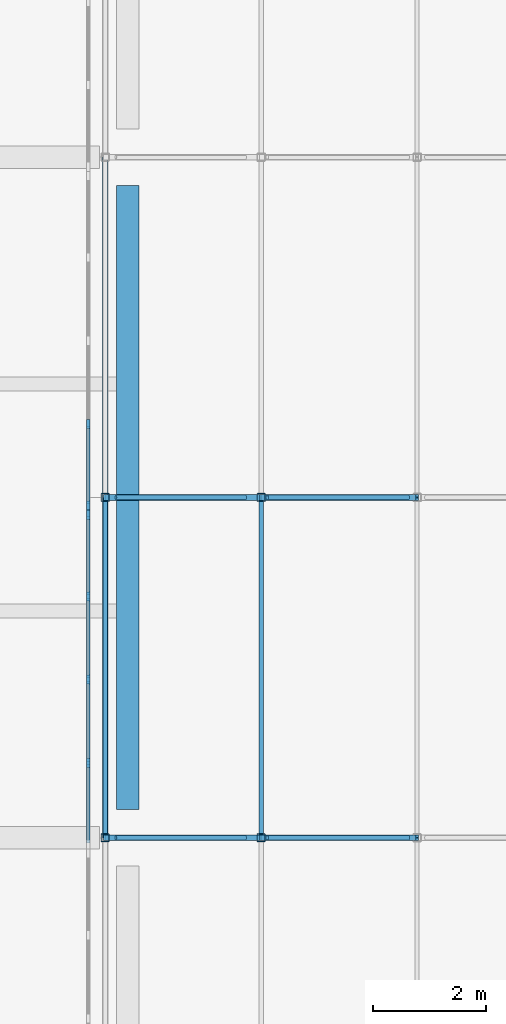
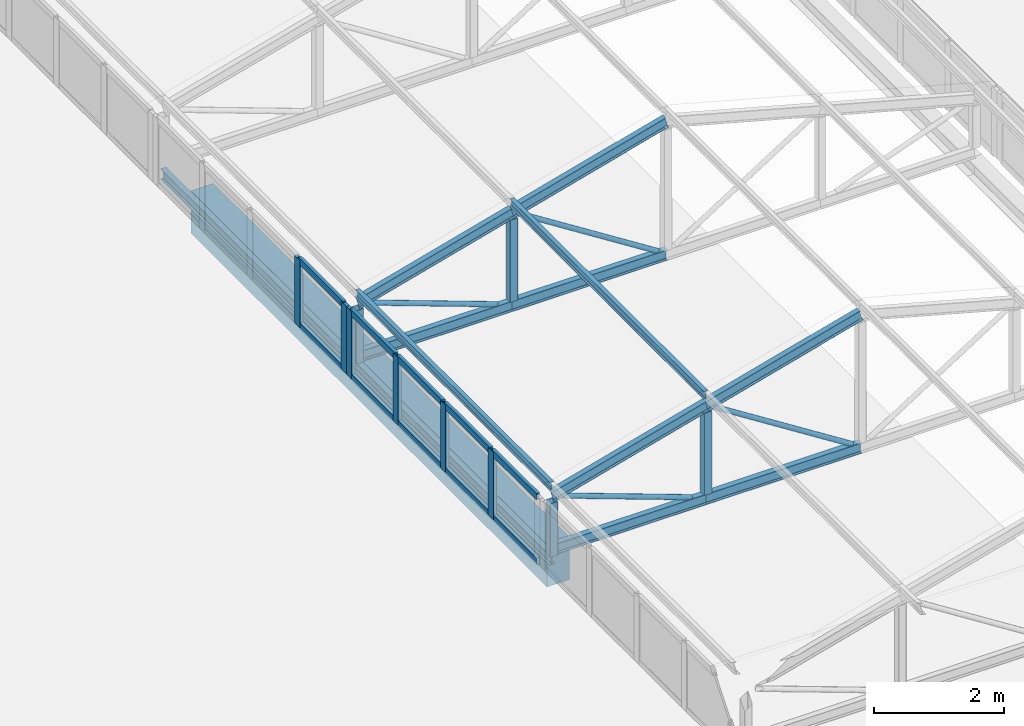
# One storey, part 46 of 94: 34 members, 2 beams, 2 elements without a shape of their own.
"""IFC4 building model written with IfcOpenShell, lengths in metres."""

from ifc_helpers import new_model, si_unit, direction, frame, origin, origin_2d, place, context, subcontext, project, spatial, rectangle, hollow_rectangle, hollow_circle, i_section, extrude, material, layer, layer_set, material_profile, profile_set, type_object, element, aggregate, save


model = new_model("IFC4")

# Units and contexts
model_context = context("Model", 3, precision=1e-05, world=origin(), true_north=direction((0.0, 1.0)))
body_context = subcontext(model_context, "Body", "Model", "MODEL_VIEW")
ifc_project = project(units=[si_unit("LENGTHUNIT", "METRE"), si_unit("AREAUNIT", "SQUARE_METRE"), si_unit("VOLUMEUNIT", "CUBIC_METRE"), si_unit("PLANEANGLEUNIT", "RADIAN"), si_unit("MASSUNIT", "GRAM", prefix="KILO")], contexts=[model_context])

# Site, building, storey
site_placement = place(None, origin())
site = spatial("IfcSite", under=ifc_project, at=site_placement, CompositionType="ELEMENT")
building_placement = place(site_placement, origin())
building = spatial("IfcBuilding", under=site, at=building_placement, Name="Lilac Gate Convention Centre", CompositionType="ELEMENT")
storey_placement = place(building_placement, frame((0.0, 0.0, 21.0)))
storey = spatial("IfcBuildingStorey", under=building, at=storey_placement, Name="L04", CompositionType="ELEMENT", Elevation=21.0)

# Curtain wall, members
ifc_material_1 = material(Name="Aluminium framed double glazing", Category="aluminium")
ifc_layer = layer(ifc_material_1, 0.199951171875)
ifc_layer_set = layer_set([ifc_layer], Name="Aluminium framed double glazing")
curtain_wall_type = type_object("IfcCurtainWallType", Name="Unitised curtain wall 1500", PredefinedType="NOTDEFINED", material=ifc_layer_set)
curtain_wall_1_placement = place(storey_placement, origin())
curtain_wall_1 = element("IfcCurtainWall", 1, at=curtain_wall_1_placement, inside=storey, type_object=curtain_wall_type, Name="Lantern clerestory W 25", PredefinedType="NOTDEFINED")
ifc_material_2 = material(Name="Aluminium alloy 6063", Category="aluminium")
ifc_material_profile_1 = material_profile(ifc_material_2, rectangle(XDim=0.06005859375, YDim=0.159912109375, at=origin_2d()), Name="Curtain wall mullion 60 x 160")
ifc_profile_set_1 = profile_set([ifc_material_profile_1], Name="Aluminium alloy 6063")
member_type_1 = type_object("IfcMemberType", Name="Curtain wall mullion 60 x 160", PredefinedType="MULLION", material=ifc_profile_set_1)
member_1_placement = place(storey_placement, frame((17.300048828125, 175.31884765625, 0.0), z_axis=(0.0, 0.0, 1.0), x_axis=(-1.0, 0.0, 0.0)))
member_1 = element("IfcMember", 2, at=member_1_placement, type_object=member_type_1, Name="CW mullion 2", PredefinedType="MULLION", context=body_context, shape_type="SweptSolid", body=[
    extrude(rectangle(XDim=0.06005859375, YDim=0.159912109375, at=origin_2d()), origin(), (0.0, 0.0, 1.0), 1.272216796875),
])
member_2_placement = place(storey_placement, frame((17.300048828125, 176.78759765625, 0.0), z_axis=(0.0, 0.0, 1.0), x_axis=(-1.0, 0.0, 0.0)))
member_2 = element("IfcMember", 3, at=member_2_placement, type_object=member_type_1, Name="CW mullion 3", PredefinedType="MULLION", context=body_context, shape_type="SweptSolid", body=[
    extrude(rectangle(XDim=0.06005859375, YDim=0.159912109375, at=origin_2d()), origin(), (0.0, 0.0, 1.0), 1.272216796875),
])
member_3_placement = place(storey_placement, frame((17.300048828125, 178.25634765625, 0.0), z_axis=(0.0, 0.0, 1.0), x_axis=(-1.0, 0.0, 0.0)))
member_3 = element("IfcMember", 4, at=member_3_placement, type_object=member_type_1, Name="CW mullion 4", PredefinedType="MULLION", context=body_context, shape_type="SweptSolid", body=[
    extrude(rectangle(XDim=0.06005859375, YDim=0.159912109375, at=origin_2d()), origin(), (0.0, 0.0, 1.0), 1.272216796875),
])
member_4_placement = place(storey_placement, frame((17.300048828125, 179.695068359375, 0.0), z_axis=(0.0, 0.0, 1.0), x_axis=(-1.0, 0.0, 0.0)))
member_4 = element("IfcMember", 5, at=member_4_placement, type_object=member_type_1, Name="CW mullion 5", PredefinedType="MULLION", context=body_context, shape_type="SweptSolid", body=[
    extrude(rectangle(XDim=0.06005859375, YDim=0.159912109375, at=origin_2d()), origin(), (0.0, 0.0, 1.0), 1.272216796875),
])

curtain_wall_2_placement = place(storey_placement, origin())
curtain_wall_2 = element("IfcCurtainWall", 6, at=curtain_wall_2_placement, inside=storey, type_object=curtain_wall_type, Name="Lantern clerestory W 26", PredefinedType="NOTDEFINED")
member_5_placement = place(storey_placement, frame((17.300048828125, 179.85498046875, 0.0), z_axis=(0.0, 0.0, 1.0), x_axis=(-1.0, 0.0, 0.0)))
member_5 = element("IfcMember", 7, at=member_5_placement, type_object=member_type_1, Name="CW mullion 1", PredefinedType="MULLION", context=body_context, shape_type="SweptSolid", body=[
    extrude(rectangle(XDim=0.06005859375, YDim=0.159912109375, at=origin_2d()), origin(), (0.0, 0.0, 1.0), 1.272216796875),
])
member_6_placement = place(storey_placement, frame((17.300048828125, 181.293701171875, 0.0), z_axis=(0.0, 0.0, 1.0), x_axis=(-1.0, 0.0, 0.0)))
member_6 = element("IfcMember", 8, at=member_6_placement, type_object=member_type_1, Name="CW mullion 2", PredefinedType="MULLION", context=body_context, shape_type="SweptSolid", body=[
    extrude(rectangle(XDim=0.06005859375, YDim=0.159912109375, at=origin_2d()), origin(), (0.0, 0.0, 1.0), 1.272216796875),
])

# Member
ifc_material_profile_2 = material_profile(ifc_material_2, rectangle(XDim=0.06005859375, YDim=0.1201171875, at=origin_2d()), Name="Curtain wall transom 60 x 120")
ifc_profile_set_2 = profile_set([ifc_material_profile_2], Name="Aluminium alloy 6063")
member_type_2 = type_object("IfcMemberType", Name="Curtain wall transom 60 x 120", PredefinedType="USERDEFINED", material=ifc_profile_set_2)
member_7_placement = place(storey_placement, frame((17.300048828125, 173.91015625, 0.030029296875), z_axis=(0.0, 1.0, 0.0), x_axis=(-1.0, 0.0, 0.0)))
member_7 = element("IfcMember", 9, at=member_7_placement, type_object=member_type_2, Name="CW transom 1.1", ObjectType="TRANSOM", PredefinedType="USERDEFINED", context=body_context, shape_type="SweptSolid", body=[
    extrude(rectangle(XDim=0.06005859375, YDim=0.1201171875, at=origin_2d()), origin(), (0.0, 0.0, 1.0), 1.378662109375),
])

member_8_placement = place(storey_placement, frame((17.300048828125, 173.91015625, 1.2421875), z_axis=(0.0, 1.0, 0.0), x_axis=(-1.0, 0.0, 0.0)))
member_8 = element("IfcMember", 10, at=member_8_placement, type_object=member_type_2, Name="CW transom 1.2", ObjectType="TRANSOM", PredefinedType="USERDEFINED", context=body_context, shape_type="SweptSolid", body=[
    extrude(rectangle(XDim=0.06005859375, YDim=0.1201171875, at=origin_2d()), origin(), (0.0, 0.0, 1.0), 1.378662109375),
])

member_9_placement = place(storey_placement, frame((17.300048828125, 175.348876953125, 0.030029296875), z_axis=(0.0, 1.0, 0.0), x_axis=(-1.0, 0.0, 0.0)))
member_9 = element("IfcMember", 11, at=member_9_placement, type_object=member_type_2, Name="CW transom 2.1", ObjectType="TRANSOM", PredefinedType="USERDEFINED", context=body_context, shape_type="SweptSolid", body=[
    extrude(rectangle(XDim=0.06005859375, YDim=0.1201171875, at=origin_2d()), origin(), (0.0, 0.0, 1.0), 1.40869140625),
])

member_10_placement = place(storey_placement, frame((17.300048828125, 175.348876953125, 1.2421875), z_axis=(0.0, 1.0, 0.0), x_axis=(-1.0, 0.0, 0.0)))
member_10 = element("IfcMember", 12, at=member_10_placement, type_object=member_type_2, Name="CW transom 2.2", ObjectType="TRANSOM", PredefinedType="USERDEFINED", context=body_context, shape_type="SweptSolid", body=[
    extrude(rectangle(XDim=0.06005859375, YDim=0.1201171875, at=origin_2d()), origin(), (0.0, 0.0, 1.0), 1.40869140625),
])

member_11_placement = place(storey_placement, frame((17.300048828125, 176.817626953125, 0.030029296875), z_axis=(0.0, 1.0, 0.0), x_axis=(-1.0, 0.0, 0.0)))
member_11 = element("IfcMember", 13, at=member_11_placement, type_object=member_type_2, Name="CW transom 3.1", ObjectType="TRANSOM", PredefinedType="USERDEFINED", context=body_context, shape_type="SweptSolid", body=[
    extrude(rectangle(XDim=0.06005859375, YDim=0.1201171875, at=origin_2d()), origin(), (0.0, 0.0, 1.0), 1.40869140625),
])

member_12_placement = place(storey_placement, frame((17.300048828125, 176.817626953125, 1.2421875), z_axis=(0.0, 1.0, 0.0), x_axis=(-1.0, 0.0, 0.0)))
member_12 = element("IfcMember", 14, at=member_12_placement, type_object=member_type_2, Name="CW transom 3.2", ObjectType="TRANSOM", PredefinedType="USERDEFINED", context=body_context, shape_type="SweptSolid", body=[
    extrude(rectangle(XDim=0.06005859375, YDim=0.1201171875, at=origin_2d()), origin(), (0.0, 0.0, 1.0), 1.40869140625),
])

member_13_placement = place(storey_placement, frame((17.300048828125, 178.286376953125, 0.030029296875), z_axis=(0.0, 1.0, 0.0), x_axis=(-1.0, 0.0, 0.0)))
member_13 = element("IfcMember", 15, at=member_13_placement, type_object=member_type_2, Name="CW transom 4.1", ObjectType="TRANSOM", PredefinedType="USERDEFINED", context=body_context, shape_type="SweptSolid", body=[
    extrude(rectangle(XDim=0.06005859375, YDim=0.1201171875, at=origin_2d()), origin(), (0.0, 0.0, 1.0), 1.378662109375),
])

member_14_placement = place(storey_placement, frame((17.300048828125, 178.286376953125, 1.2421875), z_axis=(0.0, 1.0, 0.0), x_axis=(-1.0, 0.0, 0.0)))
member_14 = element("IfcMember", 16, at=member_14_placement, type_object=member_type_2, Name="CW transom 4.2", ObjectType="TRANSOM", PredefinedType="USERDEFINED", context=body_context, shape_type="SweptSolid", body=[
    extrude(rectangle(XDim=0.06005859375, YDim=0.1201171875, at=origin_2d()), origin(), (0.0, 0.0, 1.0), 1.378662109375),
])

aggregate(curtain_wall_1, [member_1, member_2, member_3, member_4, member_7, member_8, member_9, member_10, member_11, member_12, member_13, member_14])

member_15_placement = place(storey_placement, frame((17.300048828125, 179.885009765625, 0.030029296875), z_axis=(0.0, 1.0, 0.0), x_axis=(-1.0, 0.0, 0.0)))
member_15 = element("IfcMember", 17, at=member_15_placement, type_object=member_type_2, Name="CW transom 1.1", ObjectType="TRANSOM", PredefinedType="USERDEFINED", context=body_context, shape_type="SweptSolid", body=[
    extrude(rectangle(XDim=0.06005859375, YDim=0.1201171875, at=origin_2d()), origin(), (0.0, 0.0, 1.0), 1.378662109375),
])

member_16_placement = place(storey_placement, frame((17.300048828125, 179.885009765625, 1.2421875), z_axis=(0.0, 1.0, 0.0), x_axis=(-1.0, 0.0, 0.0)))
member_16 = element("IfcMember", 18, at=member_16_placement, type_object=member_type_2, Name="CW transom 1.2", ObjectType="TRANSOM", PredefinedType="USERDEFINED", context=body_context, shape_type="SweptSolid", body=[
    extrude(rectangle(XDim=0.06005859375, YDim=0.1201171875, at=origin_2d()), origin(), (0.0, 0.0, 1.0), 1.378662109375),
])

aggregate(curtain_wall_2, [member_5, member_6, member_15, member_16])

# Members
ifc_material_3 = material(Name="Steel Q355B", Category="steel")
ifc_material_profile_3 = material_profile(ifc_material_3, i_section(OverallWidth=0.10009765625, OverallDepth=0.199951171875, WebThickness=0.005615234375, FlangeThickness=0.008056640625, FilletRadius=0.008056640625, at=origin_2d()), Name="HN200x100x5.5x8")
ifc_profile_set_3 = profile_set([ifc_material_profile_3], Name="Steel Q355B")
member_type_3 = type_object("IfcMemberType", Name="Lantern bottom chord HN200x100x5.5x8", PredefinedType="CHORD", material=ifc_profile_set_3)
for number, where, z_axis, x_axis, name in (
    (19, (17.60009765625, 174.0, 0.10009765625), (1.0, 0.0, 0.0), (0.0, 1.0, 0.0), "LB1 lantern truss 25 bottom chord 1"),
    (20, (20.35009765625, 174.0, 0.10009765625), (1.0, 0.0, 0.0), (0.0, 1.0, 0.0), "LB1 lantern truss 25 bottom chord 2"),
    (21, (17.60009765625, 180.0, 0.10009765625), (1.0, 0.0, 0.0), (0.0, 1.0, 0.0), "LB1 lantern truss 26 bottom chord 1"),
    (22, (20.35009765625, 180.0, 0.10009765625), (1.0, 0.0, 0.0), (0.0, 1.0, 0.0), "LB1 lantern truss 26 bottom chord 2"),
):
    element("IfcMember", number, at=place(storey_placement, frame(where, z_axis=z_axis, x_axis=x_axis)), inside=storey, type_object=member_type_3, Name=name, PredefinedType="CHORD", context=body_context, shape_type="SweptSolid", body=[
        extrude(i_section(OverallWidth=0.10009765625, OverallDepth=0.199951171875, WebThickness=0.005615234375, FlangeThickness=0.008056640625, FilletRadius=0.008056640625, at=origin_2d()), origin(), (0.0, 0.0, 1.0), 2.75),
    ])
ifc_material_profile_4 = material_profile(ifc_material_3, hollow_circle(Radius=0.04443359375, WallThickness=0.0048828125, at=origin_2d()), Name="CHS88.9x5")
ifc_profile_set_4 = profile_set([ifc_material_profile_4], Name="Steel Q355B")
member_type_4 = type_object("IfcMemberType", Name="Lantern diagonal CHS88.9x5", PredefinedType="BRACE", material=ifc_profile_set_4)
member_17_placement = place(storey_placement, frame((17.789794921875, 174.0, 1.031005859375), z_axis=(0.939781696917, 0.0, -0.341775309434), x_axis=(0.0, 1.0, 0.0)))
element("IfcMember", 23, at=member_17_placement, inside=storey, type_object=member_type_4, Name="LW1 lantern truss 25 diagonal 1", PredefinedType="BRACE", context=body_context, shape_type="SweptSolid", body=[
    extrude(hollow_circle(Radius=0.04443359375, WallThickness=0.0048828125, at=origin_2d()), origin(), (0.0, 0.0, 1.0), 2.431640625),
])
member_18_placement = place(storey_placement, frame((20.45849609375, 174.0, 1.781005859375), z_axis=(0.843647832412, 0.0, -0.536896949951), x_axis=(0.0, 1.0, 0.0)))
element("IfcMember", 24, at=member_18_placement, inside=storey, type_object=member_type_4, Name="LW1 lantern truss 25 diagonal 2", PredefinedType="BRACE", context=body_context, shape_type="SweptSolid", body=[
    extrude(hollow_circle(Radius=0.04443359375, WallThickness=0.0048828125, at=origin_2d()), origin(), (0.0, 0.0, 1.0), 2.94482421875),
])
member_19_placement = place(storey_placement, frame((17.789794921875, 180.0, 1.031005859375), z_axis=(0.939781696917, 0.0, -0.341775309434), x_axis=(0.0, 1.0, 0.0)))
element("IfcMember", 25, at=member_19_placement, inside=storey, type_object=member_type_4, Name="LW1 lantern truss 26 diagonal 1", PredefinedType="BRACE", context=body_context, shape_type="SweptSolid", body=[
    extrude(hollow_circle(Radius=0.04443359375, WallThickness=0.0048828125, at=origin_2d()), origin(), (0.0, 0.0, 1.0), 2.431640625),
])
member_20_placement = place(storey_placement, frame((20.45849609375, 180.0, 1.781005859375), z_axis=(0.843647832412, 0.0, -0.536896949951), x_axis=(0.0, 1.0, 0.0)))
element("IfcMember", 26, at=member_20_placement, inside=storey, type_object=member_type_4, Name="LW1 lantern truss 26 diagonal 2", PredefinedType="BRACE", context=body_context, shape_type="SweptSolid", body=[
    extrude(hollow_circle(Radius=0.04443359375, WallThickness=0.0048828125, at=origin_2d()), origin(), (0.0, 0.0, 1.0), 2.94482421875),
])
ifc_material_profile_5 = material_profile(ifc_material_3, hollow_rectangle(XDim=0.139892578125, YDim=0.139892578125, WallThickness=0.0048828125, InnerFilletRadius=0.0048828125, OuterFilletRadius=0.010009765625, at=origin_2d()), Name="SHS140x140x5")
ifc_profile_set_5 = profile_set([ifc_material_profile_5], Name="Steel Q355B")
member_type_5 = type_object("IfcMemberType", Name="Lantern post SHS140x140x5", PredefinedType="STRUT", material=ifc_profile_set_5)
member_21_placement = place(storey_placement, frame((17.60009765625, 174.0, 0.0), z_axis=(0.0, 0.0, 1.0), x_axis=(1.0, 0.0, 0.0)))
element("IfcMember", 27, at=member_21_placement, inside=storey, type_object=member_type_5, Name="LV1 lantern truss 25 post 1", PredefinedType="STRUT", context=body_context, shape_type="SweptSolid", body=[
    extrude(hollow_rectangle(XDim=0.139892578125, YDim=0.139892578125, WallThickness=0.0048828125, InnerFilletRadius=0.0048828125, OuterFilletRadius=0.010009765625, at=origin_2d()), origin(), (0.0, 0.0, 1.0), 1.001953125),
])
member_22_placement = place(storey_placement, frame((20.35009765625, 174.0, 0.199951171875), z_axis=(0.0, 0.0, 1.0), x_axis=(1.0, 0.0, 0.0)))
element("IfcMember", 28, at=member_22_placement, inside=storey, type_object=member_type_5, Name="LV1 lantern truss 25 post 2", PredefinedType="STRUT", context=body_context, shape_type="SweptSolid", body=[
    extrude(hollow_rectangle(XDim=0.139892578125, YDim=0.139892578125, WallThickness=0.0048828125, InnerFilletRadius=0.0048828125, OuterFilletRadius=0.010009765625, at=origin_2d()), origin(), (0.0, 0.0, 1.0), 1.546142578125),
])
member_23_placement = place(storey_placement, frame((17.60009765625, 180.0, 0.0), z_axis=(0.0, 0.0, 1.0), x_axis=(1.0, 0.0, 0.0)))
element("IfcMember", 29, at=member_23_placement, inside=storey, type_object=member_type_5, Name="LV1 lantern truss 26 post 1", PredefinedType="STRUT", context=body_context, shape_type="SweptSolid", body=[
    extrude(hollow_rectangle(XDim=0.139892578125, YDim=0.139892578125, WallThickness=0.0048828125, InnerFilletRadius=0.0048828125, OuterFilletRadius=0.010009765625, at=origin_2d()), origin(), (0.0, 0.0, 1.0), 1.001953125),
])
member_24_placement = place(storey_placement, frame((20.35009765625, 180.0, 0.199951171875), z_axis=(0.0, 0.0, 1.0), x_axis=(1.0, 0.0, 0.0)))
element("IfcMember", 30, at=member_24_placement, inside=storey, type_object=member_type_5, Name="LV1 lantern truss 26 post 2", PredefinedType="STRUT", context=body_context, shape_type="SweptSolid", body=[
    extrude(hollow_rectangle(XDim=0.139892578125, YDim=0.139892578125, WallThickness=0.0048828125, InnerFilletRadius=0.0048828125, OuterFilletRadius=0.010009765625, at=origin_2d()), origin(), (0.0, 0.0, 1.0), 1.546142578125),
])
ifc_material_profile_6 = material_profile(ifc_material_3, i_section(OverallWidth=0.074951171875, OverallDepth=0.14990234375, WebThickness=0.0048828125, FlangeThickness=0.007080078125, FilletRadius=0.008056640625, at=origin_2d()), Name="HN150x75x5x7")
ifc_profile_set_6 = profile_set([ifc_material_profile_6], Name="Steel Q355B")
member_type_6 = type_object("IfcMemberType", Name="Lantern purlin HN150x75x5x7", PredefinedType="PURLIN", material=ifc_profile_set_6)
for number, where, z_axis, x_axis, name in (
    (31, (17.60009765625, 174.0, 1.279052734375), (0.0, 1.0, 0.0), (-1.0, 0.0, 0.0), "LP1 lantern purlin bay 25 line 1"),
    (32, (20.35009765625, 174.0, 2.029052734375), (0.0, 1.0, 0.0), (-1.0, 0.0, 0.0), "LP1 lantern purlin bay 25 line 2"),
):
    element("IfcMember", number, at=place(storey_placement, frame(where, z_axis=z_axis, x_axis=x_axis)), inside=storey, type_object=member_type_6, Name=name, PredefinedType="PURLIN", context=body_context, shape_type="SweptSolid", body=[
        extrude(i_section(OverallWidth=0.074951171875, OverallDepth=0.14990234375, WebThickness=0.0048828125, FlangeThickness=0.007080078125, FilletRadius=0.008056640625, at=origin_2d()), origin(), (0.0, 0.0, 1.0), 6.0),
    ])
ifc_material_profile_7 = material_profile(ifc_material_3, i_section(OverallWidth=0.10009765625, OverallDepth=0.199951171875, WebThickness=0.005615234375, FlangeThickness=0.008056640625, FilletRadius=0.008056640625, at=origin_2d()), Name="HN200x100x5.5x8")
ifc_profile_set_7 = profile_set([ifc_material_profile_7], Name="Steel Q355B")
member_type_7 = type_object("IfcMemberType", Name="Lantern top chord HN200x100x5.5x8", PredefinedType="CHORD", material=ifc_profile_set_7)
for number, where, z_axis, x_axis, name in (
    (33, (17.60009765625, 174.0, 1.10009765625), (0.964763821238, 0.0, 0.263117405792), (0.0, 1.0, 0.0), "LT1 lantern truss 25 top chord 1"),
    (34, (20.35009765625, 174.0, 1.85009765625), (0.964763821238, 0.0, 0.263117405792), (0.0, 1.0, 0.0), "LT1 lantern truss 25 top chord 2"),
    (35, (17.60009765625, 180.0, 1.10009765625), (0.964763821238, 0.0, 0.263117405792), (0.0, 1.0, 0.0), "LT1 lantern truss 26 top chord 1"),
    (36, (20.35009765625, 180.0, 1.85009765625), (0.964763821238, 0.0, 0.263117405792), (0.0, 1.0, 0.0), "LT1 lantern truss 26 top chord 2"),
):
    element("IfcMember", number, at=place(storey_placement, frame(where, z_axis=z_axis, x_axis=x_axis)), inside=storey, type_object=member_type_7, Name=name, PredefinedType="CHORD", context=body_context, shape_type="SweptSolid", body=[
        extrude(i_section(OverallWidth=0.10009765625, OverallDepth=0.199951171875, WebThickness=0.005615234375, FlangeThickness=0.008056640625, FilletRadius=0.008056640625, at=origin_2d()), origin(), (0.0, 0.0, 1.0), 2.850341796875),
    ])

# Beams
ifc_material_profile_8 = material_profile(ifc_material_3, i_section(OverallWidth=0.10009765625, OverallDepth=0.199951171875, WebThickness=0.005615234375, FlangeThickness=0.008056640625, FilletRadius=0.008056640625, at=origin_2d()), Name="HN200x100x5.5x8")
ifc_profile_set_8 = profile_set([ifc_material_profile_8], Name="Steel Q355B")
beam_type_1 = type_object("IfcBeamType", Name="Steel edge beam HN200x100x5.5x8", PredefinedType="BEAM", material=ifc_profile_set_8)
beam_1_placement = place(storey_placement, frame((17.60009765625, 174.0, -0.10009765625), z_axis=(0.0, 1.0, 0.0), x_axis=(-1.0, 0.0, 0.0)))
element("IfcBeam", 37, at=beam_1_placement, inside=storey, type_object=beam_type_1, Name="LE2 lantern west edge beam 13", PredefinedType="BEAM", context=body_context, shape_type="SweptSolid", body=[
    extrude(i_section(OverallWidth=0.10009765625, OverallDepth=0.199951171875, WebThickness=0.005615234375, FlangeThickness=0.008056640625, FilletRadius=0.008056640625, at=origin_2d()), origin(), (0.0, 0.0, 1.0), 12.0),
])
ifc_material_4 = material(Name="Concrete C40", Category="concrete")
ifc_material_profile_9 = material_profile(ifc_material_4, rectangle(XDim=0.39990234375, YDim=0.800048828125, at=origin_2d()), Name="RC 400x800")
ifc_profile_set_9 = profile_set([ifc_material_profile_9], Name="Concrete C40")
beam_type_2 = type_object("IfcBeamType", Name="Tower primary beam 400x800 C40", PredefinedType="BEAM", material=ifc_profile_set_9)
beam_2_placement = place(storey_placement, frame((18.0, 174.5, -0.60009765625), z_axis=(0.0, 1.0, 0.0), x_axis=(-1.0, 0.0, 0.0)))
element("IfcBeam", 38, at=beam_2_placement, inside=storey, type_object=beam_type_2, Name="RB3 L04 2/N-2/P", PredefinedType="BEAM", context=body_context, shape_type="SweptSolid", body=[
    extrude(rectangle(XDim=0.39990234375, YDim=0.800048828125, at=origin_2d()), origin(), (0.0, 0.0, 1.0), 11.0),
])

save(model, "model.ifc")
